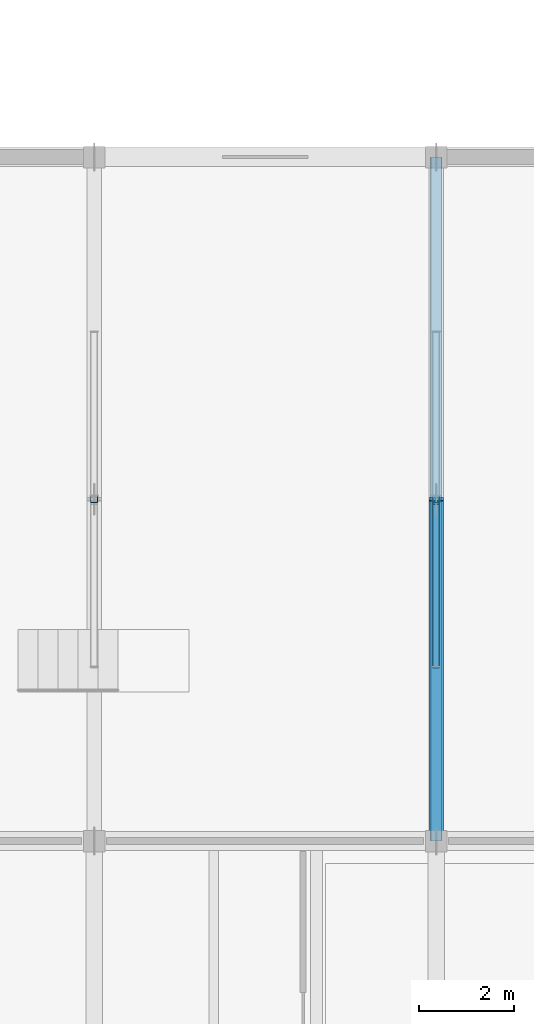
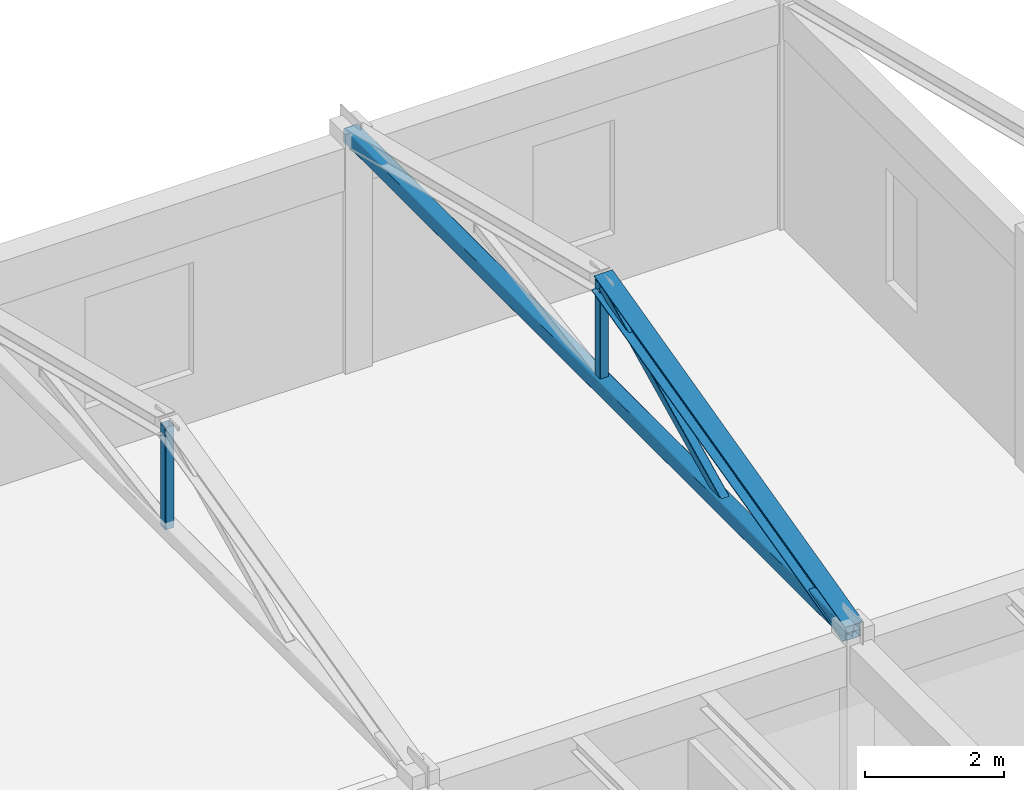
# One storey, part 9 of 136: 5 members.
"""IFC4 building model written with IfcOpenShell, lengths in metres."""

from ifc_helpers import new_model, si_unit, direction, frame, origin, origin_2d, place, context, subcontext, project, spatial, hollow_rectangle, i_section, extrude, material, material_profile, profile_set, type_object, element, save


model = new_model("IFC4")

# Units and contexts
model_context = context("Model", 3, precision=1e-05, world=origin(), true_north=direction((0.0, 1.0)))
body_context = subcontext(model_context, "Body", "Model", "MODEL_VIEW")
ifc_project = project(units=[si_unit("LENGTHUNIT", "METRE"), si_unit("AREAUNIT", "SQUARE_METRE"), si_unit("VOLUMEUNIT", "CUBIC_METRE"), si_unit("PLANEANGLEUNIT", "RADIAN"), si_unit("MASSUNIT", "GRAM", prefix="KILO")], contexts=[model_context])

# Site, building, storey
site_placement = place(None, origin())
site = spatial("IfcSite", under=ifc_project, at=site_placement, CompositionType="ELEMENT")
building_placement = place(site_placement, origin())
building = spatial("IfcBuilding", under=site, at=building_placement, Name="Koriwan Promenade Central Fire Station", CompositionType="ELEMENT")
storey_placement = place(building_placement, frame((0.0, 0.0, 5.39990234375)))
storey = spatial("IfcBuildingStorey", under=building, at=storey_placement, Name="L01", CompositionType="ELEMENT", Elevation=5.39990234375)

# Members
ifc_material_1 = material(Name="Steel ASTM A500 Grade C", Category="steel")
ifc_material_profile_1 = material_profile(ifc_material_1, hollow_rectangle(XDim=0.25, YDim=0.25, WallThickness=0.011962890625, InnerFilletRadius=0.011962890625, OuterFilletRadius=0.02392578125, at=origin_2d()), Name="HSS250x250x12")
ifc_profile_set_1 = profile_set([ifc_material_profile_1], Name="Steel ASTM A500 Grade C")
member_type_1 = type_object("IfcMemberType", Name="Member_CHORD_HSS250x250x12", PredefinedType="CHORD", material=ifc_profile_set_1)
member_1_placement = place(storey_placement, frame((28.800048828125, 7.199951171875, 4.02001953125), z_axis=(0.0, 1.0, 0.0), x_axis=(-1.0, 0.0, 0.0)))
element("IfcMember", 1, at=member_1_placement, inside=storey, type_object=member_type_1, Name="TR_V3_03 bottom tie chord", PredefinedType="CHORD", context=body_context, shape_type="SweptSolid", body=[
    extrude(hollow_rectangle(XDim=0.25, YDim=0.25, WallThickness=0.011962890625, InnerFilletRadius=0.011962890625, OuterFilletRadius=0.02392578125, at=origin_2d()), origin(), (0.0, 0.0, 1.0), 14.400146484375),
])
ifc_material_2 = material(Name="Steel ASTM A992 Grade 50", Category="steel")
ifc_material_profile_2 = material_profile(ifc_material_2, i_section(OverallWidth=0.304931640625, OverallDepth=0.30810546875, WebThickness=0.010009765625, FlangeThickness=0.015380859375, FilletRadius=0.014892578125, at=origin_2d()), Name="W310x97")
ifc_profile_set_2 = profile_set([ifc_material_profile_2], Name="Steel ASTM A992 Grade 50")
member_type_2 = type_object("IfcMemberType", Name="Member_CHORD_W310x97", PredefinedType="CHORD", material=ifc_profile_set_2)
member_2_placement = place(storey_placement, frame((28.800048828125, 7.199951171875, 4.02001953125), z_axis=(0.0, 0.970457198254, 0.241273343651), x_axis=(-1.0, 0.0, 0.0)))
element("IfcMember", 2, at=member_2_placement, inside=storey, type_object=member_type_2, Name="TR_V3_03 south top chord", PredefinedType="CHORD", context=body_context, shape_type="SweptSolid", body=[
    extrude(i_section(OverallWidth=0.304931640625, OverallDepth=0.30810546875, WebThickness=0.010009765625, FlangeThickness=0.015380859375, FilletRadius=0.014892578125, at=origin_2d()), origin(), (0.0, 0.0, 1.0), 7.419189453125),
])
ifc_material_profile_3 = material_profile(ifc_material_1, hollow_rectangle(XDim=0.14990234375, YDim=0.14990234375, WallThickness=0.008056640625, InnerFilletRadius=0.008056640625, OuterFilletRadius=0.01611328125, at=origin_2d()), Name="HSS150x150x8")
ifc_profile_set_3 = profile_set([ifc_material_profile_3], Name="Steel ASTM A500 Grade C")
member_type_3 = type_object("IfcMemberType", Name="Member_STRUT_HSS150x150x8", PredefinedType="STRUT", material=ifc_profile_set_3)
for number, where, z_axis, x_axis, name in (
    (3, (21.60009765625, 14.39990234375, 4.02001953125), (0.0, 0.0, 1.0), (1.0, 0.0, 0.0), "TR_V3_02 vertical 2"),
    (4, (28.800048828125, 14.39990234375, 4.02001953125), (0.0, 0.0, 1.0), (1.0, 0.0, 0.0), "TR_V3_03 vertical 2"),
):
    element("IfcMember", number, at=place(storey_placement, frame(where, z_axis=z_axis, x_axis=x_axis)), inside=storey, type_object=member_type_3, Name=name, PredefinedType="STRUT", context=body_context, shape_type="SweptSolid", body=[
        extrude(hollow_rectangle(XDim=0.14990234375, YDim=0.14990234375, WallThickness=0.008056640625, InnerFilletRadius=0.008056640625, OuterFilletRadius=0.01611328125, at=origin_2d()), origin(), (0.0, 0.0, 1.0), 1.7900390625),
    ])
member_3_placement = place(storey_placement, frame((28.800048828125, 10.8798828125, 4.070068359375), z_axis=(0.0, 0.897551673046, 0.44090928116), x_axis=(-1.0, 0.0, 0.0)))
element("IfcMember", 5, at=member_3_placement, inside=storey, type_object=member_type_3, Name="TR_V3_03 web diagonal 2", PredefinedType="STRUT", context=body_context, shape_type="SweptSolid", body=[
    extrude(hollow_rectangle(XDim=0.14990234375, YDim=0.14990234375, WallThickness=0.008056640625, InnerFilletRadius=0.008056640625, OuterFilletRadius=0.01611328125, at=origin_2d()), origin(), (0.0, 0.0, 1.0), 3.832763671875),
])

save(model, "model.ifc")
